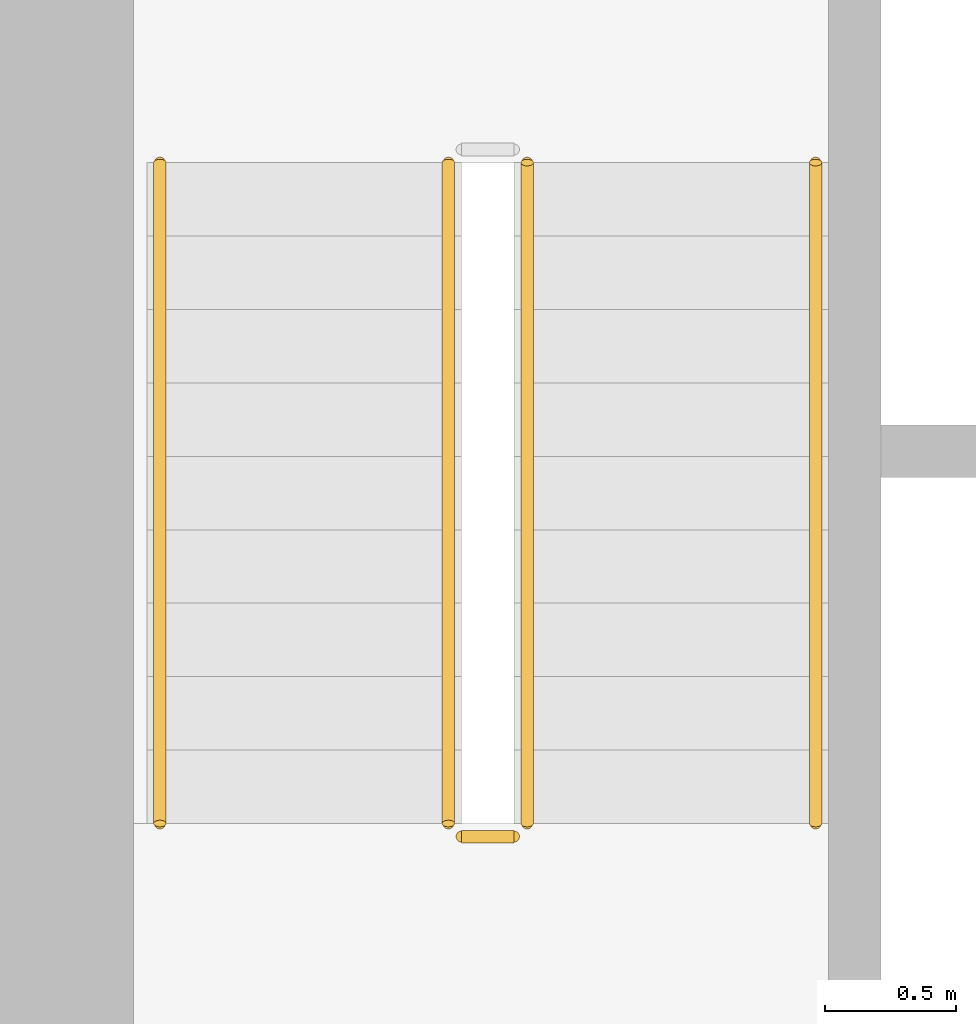
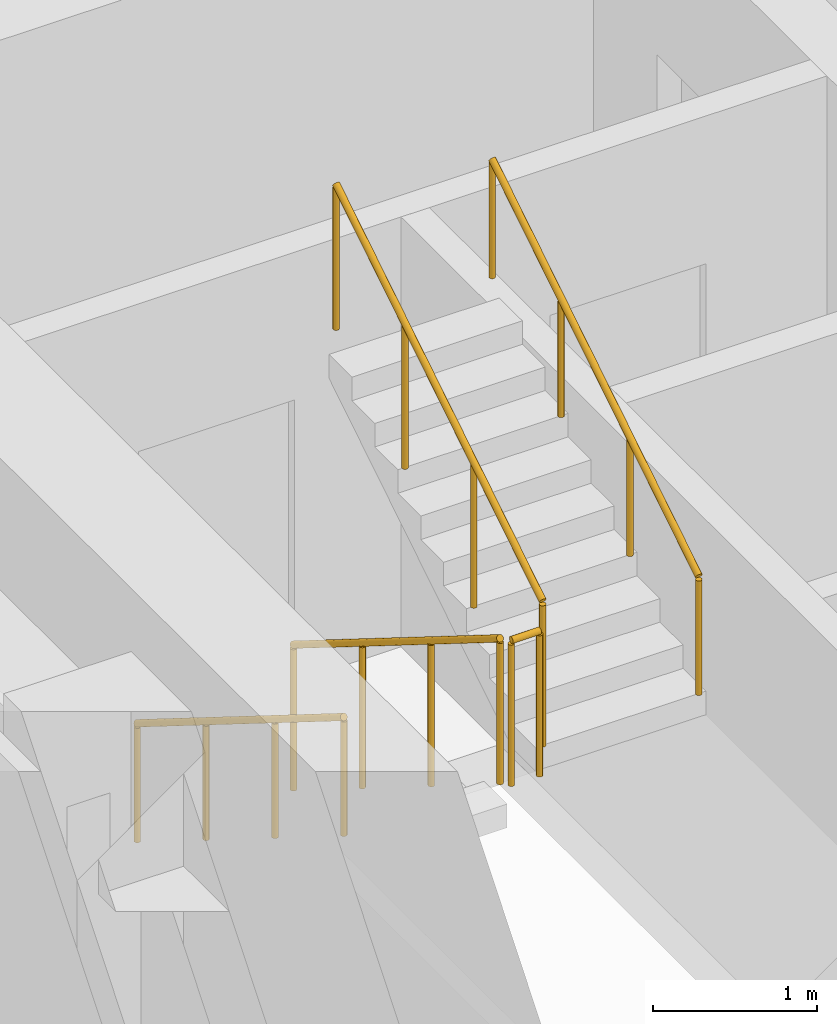
# One storey, part 14 of 20: 5 railings.
"""IFC4 building model written with IfcOpenShell, lengths in metres."""

import ifcopenshell
import ifcopenshell.guid

model = None  # the IFC model being written
_history = None  # IfcOwnerHistory: only IFC2X3 demands one
_inside = {}  # id of a spatial element -> (the spatial element, [elements in it])
_under = {}  # id of a project, library or spatial element -> (it, [spatial elements below it])
_declared = {}  # id of a project -> (the project, [libraries it declares])
_typed = {}  # id of a type object -> (the type object, [elements of that type])
_made_of = {}  # id of a material, layer set ... -> (it, [elements and type objects made of it])


def new_model(schema):
    """Start an empty IFC model of exactly this schema.

    Asked for "IFC4X3", IfcOpenShell would pick the latest addendum, in which some entities
    have other attributes; the version numbers below select the first issue.
    IFC2X3 requires an IfcOwnerHistory on every rooted entity: one is made here for all.
    """
    global model, _history
    if schema == "IFC4X3":
        model = ifcopenshell.file(schema_version=(4, 3, 0, 0))
    else:
        model = ifcopenshell.file(schema=schema)
    _inside.clear()
    _under.clear()
    _declared.clear()
    _typed.clear()
    _made_of.clear()
    _history = None
    if model.schema == "IFC2X3":
        org = make("IfcOrganization", Name="unknown")
        user = make(
            "IfcPersonAndOrganization",
            ThePerson=make("IfcPerson", FamilyName="unknown"),
            TheOrganization=org,
        )
        app = make(
            "IfcApplication",
            ApplicationDeveloper=org,
            Version="unknown",
            ApplicationFullName="unknown",
            ApplicationIdentifier="unknown",
        )
        _history = make(
            "IfcOwnerHistory",
            OwningUser=user,
            OwningApplication=app,
            ChangeAction="ADDED",
            CreationDate=0,
        )
    return model


def make(cls, **values):
    """One entity of the class cls with the attributes given. An attribute that is None is left unset."""
    return model.create_entity(
        cls, **{name: value for name, value in values.items() if value is not None}
    )


def rooted(cls, **values):
    """An entity with a GlobalId (a new one), such as an element, a storey or a relation."""
    return make(cls, GlobalId=ifcopenshell.guid.new(), OwnerHistory=_history, **values)


def si_unit(unit_type, name, prefix=None):
    """IfcSIUnit, for example si_unit("LENGTHUNIT", "METRE", prefix="MILLI")."""
    return make("IfcSIUnit", UnitType=unit_type, Prefix=prefix, Name=name)


def assignment(units):
    """IfcUnitAssignment: the units of a project."""
    return None if units is None else make("IfcUnitAssignment", Units=units)


def point(xyz):
    """IfcCartesianPoint."""
    return None if xyz is None else make("IfcCartesianPoint", Coordinates=xyz)


def direction(xyz):
    """IfcDirection."""
    return None if xyz is None else make("IfcDirection", DirectionRatios=xyz)


def frame(location, z_axis=None, x_axis=None):
    """IfcAxis2Placement3D, a coordinate frame: its origin and axes. An axis left out is left unset."""
    return make(
        "IfcAxis2Placement3D",
        Location=point(location),
        Axis=direction(z_axis),
        RefDirection=direction(x_axis),
    )


def frame_2d(location, x_axis=None):
    """IfcAxis2Placement2D, a coordinate frame in the plane: its origin and x axis."""
    return make(
        "IfcAxis2Placement2D", Location=point(location), RefDirection=direction(x_axis)
    )


def origin():
    """The frame at (0, 0, 0) with its axes left unset."""
    return frame((0.0, 0.0, 0.0))


def origin_2d():
    """The frame at (0, 0) in the plane with its x axis left unset."""
    return frame_2d((0.0, 0.0))


def place(relative_to, where):
    """IfcLocalPlacement: puts the frame where relative to a parent placement (None: the world)."""
    return make(
        "IfcLocalPlacement", PlacementRelTo=relative_to, RelativePlacement=where
    )


def context(
    kind, dimensions, precision=None, world=None, true_north=None, identifier=None
):
    """IfcGeometricRepresentationContext, for example the 3D "Model" context."""
    return make(
        "IfcGeometricRepresentationContext",
        ContextIdentifier=identifier,
        ContextType=kind,
        CoordinateSpaceDimension=dimensions,
        Precision=precision,
        WorldCoordinateSystem=world,
        TrueNorth=true_north,
    )


def subcontext(parent, identifier, kind, view, scale=None):
    """IfcGeometricRepresentationSubContext, for example "Body" below "Model"."""
    return make(
        "IfcGeometricRepresentationSubContext",
        ContextIdentifier=identifier,
        ContextType=kind,
        ParentContext=parent,
        TargetScale=scale,
        TargetView=view,
    )


def project(units=None, contexts=None):
    """IfcProject with its units and contexts."""
    return rooted(
        "IfcProject",
        Name="project",
        RepresentationContexts=contexts,
        UnitsInContext=assignment(units),
    )


def spatial(cls, under=None, at=None, **own):
    """A site, building, storey or space (cls), placed at a placement, below another one or the project."""
    s = rooted(cls, ObjectPlacement=at, **own)
    if under is not None:
        _under.setdefault(under.id(), (under, []))[1].append(s)
    return s


def profile(cls, at=None, kind="AREA", **sizes):
    """A parametric profile (cls). Its sizes go by their IFC names, for example OverallWidth=200.0."""
    return make(cls, ProfileType=kind, Position=at, **sizes)


def circle(**sizes):
    """IfcCircleProfileDef."""
    return profile("IfcCircleProfileDef", **sizes)


def extrude(swept, where, along, depth):
    """IfcExtrudedAreaSolid: the profile swept, set in the frame where, extruded along a direction by depth."""
    return make(
        "IfcExtrudedAreaSolid",
        SweptArea=swept,
        Position=where,
        ExtrudedDirection=direction(along),
        Depth=depth,
    )


def shape(context_of_items, identifier, shape_type, items):
    """IfcShapeRepresentation: the items that make up one representation, for example the "Body"."""
    return make(
        "IfcShapeRepresentation",
        ContextOfItems=context_of_items,
        RepresentationIdentifier=identifier,
        RepresentationType=shape_type,
        Items=items,
    )


def material(Name=None, Category=None):
    """IfcMaterial."""
    return make("IfcMaterial", Name=Name, Category=Category)


def made_of(thing, what):
    """Note that an element or type object is made of a material, layer set ...; save() writes the relation."""
    if what is not None:
        _made_of.setdefault(what.id(), (what, []))[1].append(thing)
    return thing


def type_object(cls, material=None, **own):
    """A type object (cls), such as IfcWallType, which elements share."""
    return made_of(rooted(cls, **own), material)


def element(
    cls,
    number,
    at=None,
    inside=None,
    cuts=None,
    type_object=None,
    material=None,
    context=None,
    identifier="Body",
    shape_type=None,
    held_by="IfcProductDefinitionShape",
    body=None,
    shapes=None,
    **own,
):
    """One element of the class cls, such as IfcWall. Its Tag is "e" and its number.

    at: its placement. inside: the storey or other place that contains it. cuts: it is an
    opening in that element (IfcRelVoidsElement). A single representation is given by context,
    identifier, shape_type and body (its items); several are given by shapes. held_by: the class
    of the entity that holds the representations. save() writes the other relations.
    """
    e = rooted(cls, Tag="e%d" % number, ObjectPlacement=at, **own)
    if body is not None:
        shapes = [shape(context, identifier, shape_type, body)]
    if shapes is not None:
        e.Representation = make(held_by, Representations=shapes)
    if inside is not None:
        _inside.setdefault(inside.id(), (inside, []))[1].append(e)
    if cuts is not None:
        rooted(
            "IfcRelVoidsElement", RelatingBuildingElement=cuts, RelatedOpeningElement=e
        )
    if type_object is not None:
        _typed.setdefault(type_object.id(), (type_object, []))[1].append(e)
    return made_of(e, material)


def aggregate(whole, parts):
    """IfcRelAggregates: a whole, such as a stair, and the parts it consists of."""
    return rooted("IfcRelAggregates", RelatingObject=whole, RelatedObjects=parts)


def save(model, path):
    """Write the relations noted so far, then the file.

    IfcRelAggregates (storeys below a building ...), IfcRelContainedInSpatialStructure (elements
    in a storey), IfcRelDefinesByType, IfcRelAssociatesMaterial and IfcRelDeclares: one each for
    every whole, place, type object, material and project.
    """
    for whole, parts in _under.values():
        aggregate(whole, parts)
    for where, things in _inside.values():
        rooted(
            "IfcRelContainedInSpatialStructure",
            RelatedElements=things,
            RelatingStructure=where,
        )
    for kind, things in _typed.values():
        rooted("IfcRelDefinesByType", RelatedObjects=things, RelatingType=kind)
    for what, things in _made_of.values():
        rooted("IfcRelAssociatesMaterial", RelatedObjects=things, RelatingMaterial=what)
    for by, libraries in _declared.values():
        rooted("IfcRelDeclares", RelatingContext=by, RelatedDefinitions=libraries)
    model.write(path)


model = new_model("IFC4")

# Units and contexts
model_context = context("Model", 3, precision=1e-05, world=origin(), true_north=direction((0.0, 1.0)))
body_context = subcontext(model_context, "Body", "Model", "MODEL_VIEW")
ifc_project = project(units=[si_unit("LENGTHUNIT", "METRE"), si_unit("AREAUNIT", "SQUARE_METRE"), si_unit("VOLUMEUNIT", "CUBIC_METRE"), si_unit("PLANEANGLEUNIT", "RADIAN"), si_unit("MASSUNIT", "GRAM", prefix="KILO")], contexts=[model_context])

# Site, building, storey
site_placement = place(None, origin())
site = spatial("IfcSite", under=ifc_project, at=site_placement, CompositionType="ELEMENT")
building_placement = place(site_placement, origin())
building = spatial("IfcBuilding", under=site, at=building_placement, Name="Kiln Ring Residences", CompositionType="ELEMENT")
storey_placement = place(building_placement, frame((0.0, 0.0, 206.39990234375)))
storey = spatial("IfcBuildingStorey", under=building, at=storey_placement, Name="L53", CompositionType="ELEMENT", Elevation=206.39990234375)

# Railings
ifc_material_1 = material(Name="Stainless steel", Category="steel")
railing_type_1 = type_object("IfcRailingType", Name="CORE-STAIR-GUARD", PredefinedType="GUARDRAIL", material=ifc_material_1)
railing_1_placement = place(storey_placement, frame((-22.25, 8.39990234375, 0.175048828125)))
element("IfcRailing", 1, at=railing_1_placement, inside=storey, type_object=railing_type_1, Name="L53 W-STN stair guard 1", PredefinedType="GUARDRAIL", context=body_context, shape_type="SweptSolid", body=[
    extrude(circle(Radius=0.02392578125, at=origin_2d()), frame((0.0, 0.0, 1.076171875), z_axis=(0.0, -0.848007534815, 0.529984170421), x_axis=(1.0, 0.0, 0.0)), (0.0, 0.0, 1.0), 2.9716796875),
    extrude(circle(Radius=0.02099609375, at=origin_2d()), origin(), (0.0, 0.0, 1.0), 1.052001953125),
    extrude(circle(Radius=0.02099609375, at=origin_2d()), frame((0.0, -0.840087890625, 0.52490234375)), (0.0, 0.0, 1.0), 1.052001953125),
    extrude(circle(Radius=0.02099609375, at=origin_2d()), frame((0.0, -1.679931640625, 1.050048828125)), (0.0, 0.0, 1.0), 1.052001953125),
    extrude(circle(Radius=0.02099609375, at=origin_2d()), frame((0.0, -2.52001953125, 1.574951171875)), (0.0, 0.0, 1.0), 1.052001953125),
])
railing_2_placement = place(storey_placement, frame((-22.199951171875, 5.830078125, 1.75)))
element("IfcRailing", 2, at=railing_2_placement, inside=storey, type_object=railing_type_1, Name="L53 W-STN stair guard 2", PredefinedType="GUARDRAIL", context=body_context, shape_type="SweptSolid", body=[
    extrude(circle(Radius=0.02392578125, at=origin_2d()), frame((0.0, 0.0, 1.076171875), z_axis=(1.0, 0.0, 0.0), x_axis=(0.0, 1.0, 0.0)), (0.0, 0.0, 1.0), 0.199951171875),
    extrude(circle(Radius=0.02099609375, at=origin_2d()), origin(), (0.0, 0.0, 1.0), 1.052001953125),
    extrude(circle(Radius=0.02099609375, at=origin_2d()), frame((0.199951171875, 0.0, 0.0)), (0.0, 0.0, 1.0), 1.052001953125),
])
railing_3_placement = place(storey_placement, frame((-21.949951171875, 5.8798828125, 1.925048828125)))
element("IfcRailing", 3, at=railing_3_placement, inside=storey, type_object=railing_type_1, Name="L53 W-STN stair guard 3", PredefinedType="GUARDRAIL", context=body_context, shape_type="SweptSolid", body=[
    extrude(circle(Radius=0.02392578125, at=origin_2d()), frame((0.0, 0.0, 1.076171875), z_axis=(0.0, 0.848007534815, 0.529984170421), x_axis=(-1.0, 0.0, 0.0)), (0.0, 0.0, 1.0), 2.9716796875),
    extrude(circle(Radius=0.02099609375, at=origin_2d()), origin(), (0.0, 0.0, 1.0), 1.052001953125),
    extrude(circle(Radius=0.02099609375, at=origin_2d()), frame((0.0, 0.840087890625, 0.52490234375)), (0.0, 0.0, 1.0), 1.052001953125),
    extrude(circle(Radius=0.02099609375, at=origin_2d()), frame((0.0, 1.679931640625, 1.050048828125)), (0.0, 0.0, 1.0), 1.052001953125),
    extrude(circle(Radius=0.02099609375, at=origin_2d()), frame((0.0, 2.52001953125, 1.574951171875)), (0.0, 0.0, 1.0), 1.052001953125),
])
ifc_material_2 = material(Name="Stainless steel", Category="steel")
railing_type_2 = type_object("IfcRailingType", Name="CORE-STAIR-HANDRAIL", PredefinedType="HANDRAIL", material=ifc_material_2)
railing_4_placement = place(storey_placement, frame((-23.35009765625, 8.39990234375, 0.175048828125)))
element("IfcRailing", 4, at=railing_4_placement, inside=storey, type_object=railing_type_2, Name="L53 W-STN stair handrail 1", PredefinedType="HANDRAIL", context=body_context, shape_type="SweptSolid", body=[
    extrude(circle(Radius=0.02392578125, at=origin_2d()), frame((0.0, 0.0, 0.8759765625), z_axis=(0.0, -0.848007534815, 0.529984170421), x_axis=(1.0, 0.0, 0.0)), (0.0, 0.0, 1.0), 2.9716796875),
    extrude(circle(Radius=0.02099609375, at=origin_2d()), origin(), (0.0, 0.0, 1.0), 0.851806640625),
    extrude(circle(Radius=0.02099609375, at=origin_2d()), frame((0.0, -0.840087890625, 0.52490234375)), (0.0, 0.0, 1.0), 0.851806640625),
    extrude(circle(Radius=0.02099609375, at=origin_2d()), frame((0.0, -1.679931640625, 1.050048828125)), (0.0, 0.0, 1.0), 0.851806640625),
    extrude(circle(Radius=0.02099609375, at=origin_2d()), frame((0.0, -2.52001953125, 1.574951171875)), (0.0, 0.0, 1.0), 0.851806640625),
])
railing_5_placement = place(storey_placement, frame((-20.85009765625, 5.8798828125, 1.925048828125)))
element("IfcRailing", 5, at=railing_5_placement, inside=storey, type_object=railing_type_2, Name="L53 W-STN stair handrail 2", PredefinedType="HANDRAIL", context=body_context, shape_type="SweptSolid", body=[
    extrude(circle(Radius=0.02392578125, at=origin_2d()), frame((0.0, 0.0, 0.8759765625), z_axis=(0.0, 0.848007534815, 0.529984170421), x_axis=(-1.0, 0.0, 0.0)), (0.0, 0.0, 1.0), 2.9716796875),
    extrude(circle(Radius=0.02099609375, at=origin_2d()), origin(), (0.0, 0.0, 1.0), 0.851806640625),
    extrude(circle(Radius=0.02099609375, at=origin_2d()), frame((0.0, 0.840087890625, 0.52490234375)), (0.0, 0.0, 1.0), 0.851806640625),
    extrude(circle(Radius=0.02099609375, at=origin_2d()), frame((0.0, 1.679931640625, 1.050048828125)), (0.0, 0.0, 1.0), 0.851806640625),
    extrude(circle(Radius=0.02099609375, at=origin_2d()), frame((0.0, 2.52001953125, 1.574951171875)), (0.0, 0.0, 1.0), 0.851806640625),
])

save(model, "model.ifc")
